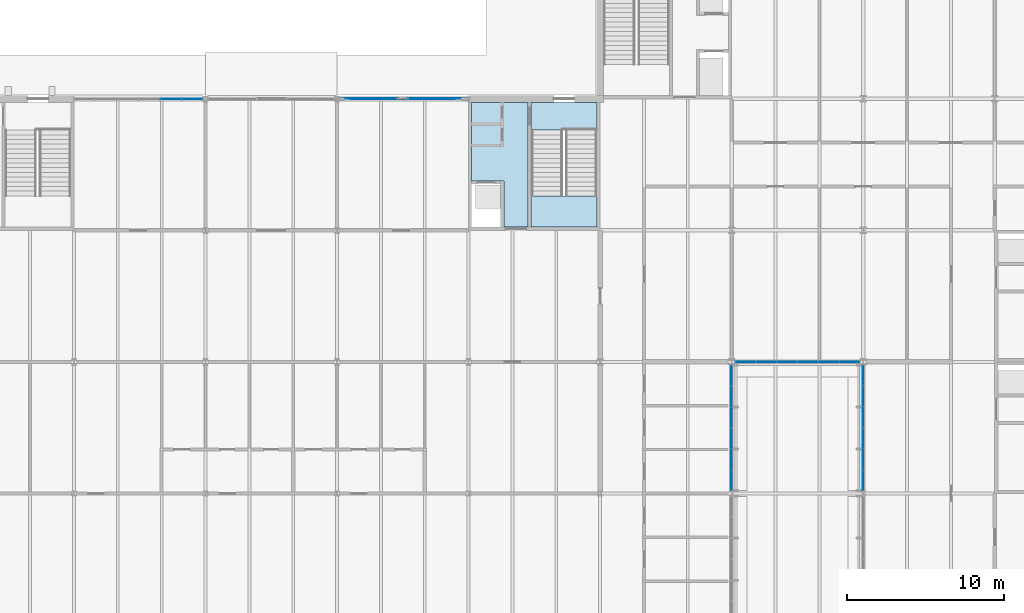
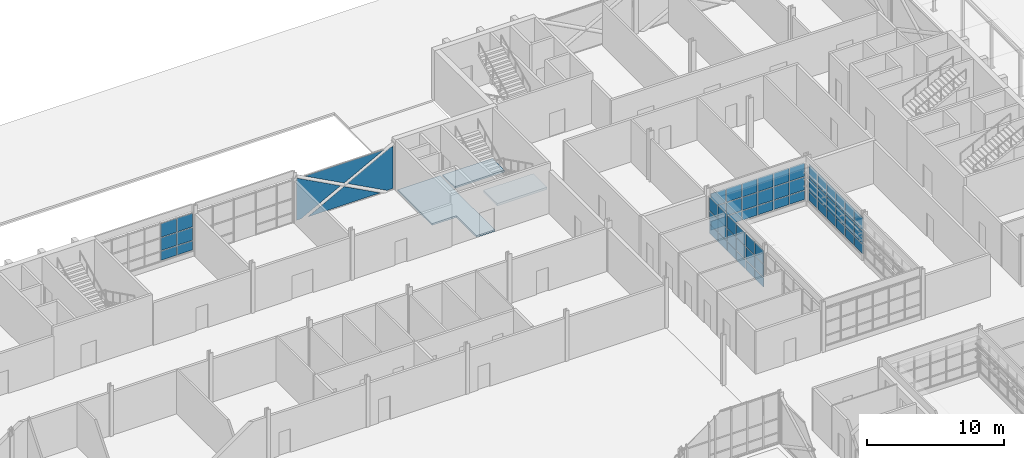
# One storey, part 79 of 116: 64 plates, 3 slabs, 6 elements without a shape of their own.
"""IFC4 building model written with IfcOpenShell, lengths in metres."""

from ifc_helpers import new_model, si_unit, direction, frame, origin, origin_2d, place, context, subcontext, project, spatial, polyline, rectangle, outline, extrude, material, layer, layer_set, type_object, element, aggregate, save


model = new_model("IFC4")

# Units and contexts
model_context = context("Model", 3, precision=1e-05, world=origin(), true_north=direction((0.0, 1.0)))
body_context = subcontext(model_context, "Body", "Model", "MODEL_VIEW")
ifc_project = project(units=[si_unit("LENGTHUNIT", "METRE"), si_unit("AREAUNIT", "SQUARE_METRE"), si_unit("VOLUMEUNIT", "CUBIC_METRE"), si_unit("PLANEANGLEUNIT", "RADIAN"), si_unit("MASSUNIT", "GRAM", prefix="KILO")], contexts=[model_context])

# Site, building, storey
site_placement = place(None, origin())
site = spatial("IfcSite", under=ifc_project, at=site_placement, CompositionType="ELEMENT")
building_placement = place(site_placement, origin())
building = spatial("IfcBuilding", under=site, at=building_placement, Name="Ardhachandra Cancer Care Centre", CompositionType="ELEMENT")
storey_placement = place(building_placement, origin())
storey = spatial("IfcBuildingStorey", under=building, at=storey_placement, Name="L00", CompositionType="ELEMENT", Elevation=0.0)

# Slabs
ifc_material_1 = material(Name="Concrete M40", Category="concrete")
ifc_layer_1 = layer(ifc_material_1, 0.14990234375)
ifc_layer_set_1 = layer_set([ifc_layer_1], Name="Concrete M40")
slab_type_1 = type_object("IfcSlabType", Name="Core floor slab 150", PredefinedType="FLOOR", material=ifc_layer_set_1)
slab_1_placement = place(storey_placement, frame((0.0, 0.0, -0.14990234375)))
element("IfcSlab", 1, at=slab_1_placement, inside=storey, type_object=slab_type_1, Name="Core floor slab K7 L00 1", PredefinedType="FLOOR", context=body_context, shape_type="SweptSolid", body=[
    extrude(outline(polyline([(111.39990234375, 94.60009765625), (107.199951171875, 94.60009765625), (107.199951171875, 96.375), (111.39990234375, 96.375), (111.39990234375, 94.60009765625)])), origin(), (0.0, 0.0, 1.0), 0.14990234375),
])
slab_2_placement = place(storey_placement, frame((0.0, 0.0, -0.14990234375)))
element("IfcSlab", 2, at=slab_2_placement, inside=storey, type_object=slab_type_1, Name="Core floor slab K7 L00 2", PredefinedType="FLOOR", context=body_context, shape_type="SweptSolid", body=[
    extrude(outline(polyline([(107.0, 96.375), (107.0, 88.39990234375), (105.449951171875, 88.39990234375), (105.449951171875, 91.35009765625), (105.25, 91.35009765625), (103.39990234375, 91.35009765625), (103.39990234375, 96.375), (107.0, 96.375)])), origin(), (0.0, 0.0, 1.0), 0.14990234375),
])

# Curtain wall, plates
ifc_material_2 = material(Name="Aluminium extrusion", Category="aluminium")
ifc_layer_2 = layer(ifc_material_2, 0.14990234375)
ifc_layer_set_2 = layer_set([ifc_layer_2], Name="Aluminium extrusion")
curtain_wall_type = type_object("IfcCurtainWallType", Name="Curtain wall run", PredefinedType="NOTDEFINED", material=ifc_layer_set_2)
curtain_wall_1_placement = place(storey_placement, origin())
curtain_wall_1 = element("IfcCurtainWall", 3, at=curtain_wall_1_placement, inside=storey, type_object=curtain_wall_type, Name="Curtain wall L00 e/0120000_0071400", PredefinedType="NOTDEFINED")
ifc_material_3 = material(Name="Low-iron double-glazed unit")
ifc_layer_3 = layer(ifc_material_3, 0.028076171875)
ifc_layer_set_3 = layer_set([ifc_layer_3], Name="Low-iron double-glazed unit")
plate_type_1 = type_object("IfcPlateType", Name="Curtain wall glazing 28", PredefinedType="CURTAIN_PANEL", material=ifc_layer_set_3)
plate_1_placement = place(storey_placement, frame((120.0, 72.236572265625, 1.3798828125), z_axis=(0.0, 0.0, 1.0), x_axis=(0.0, 1.0, 0.0)))
plate_1 = element("IfcPlate", 4, at=plate_1_placement, type_object=plate_type_1, Name="CW panel 1.2", PredefinedType="CURTAIN_PANEL", context=body_context, shape_type="SweptSolid", body=[
    extrude(rectangle(XDim=1.25341796875, YDim=0.028076171875, at=origin_2d()), origin(), (0.0, 0.0, 1.0), 1.139892578125),
])
plate_2_placement = place(storey_placement, frame((120.0, 72.236572265625, 2.580078125), z_axis=(0.0, 0.0, 1.0), x_axis=(0.0, 1.0, 0.0)))
plate_2 = element("IfcPlate", 5, at=plate_2_placement, type_object=plate_type_1, Name="CW panel 1.3", PredefinedType="CURTAIN_PANEL", context=body_context, shape_type="SweptSolid", body=[
    extrude(rectangle(XDim=1.25341796875, YDim=0.028076171875, at=origin_2d()), origin(), (0.0, 0.0, 1.0), 1.159912109375),
])
plate_3_placement = place(storey_placement, frame((120.0, 73.56494140625, 1.3798828125), z_axis=(0.0, 0.0, 1.0), x_axis=(0.0, 1.0, 0.0)))
plate_3 = element("IfcPlate", 6, at=plate_3_placement, type_object=plate_type_1, Name="CW panel 2.2", PredefinedType="CURTAIN_PANEL", context=body_context, shape_type="SweptSolid", body=[
    extrude(rectangle(XDim=1.283447265625, YDim=0.028076171875, at=origin_2d()), origin(), (0.0, 0.0, 1.0), 1.139892578125),
])
plate_4_placement = place(storey_placement, frame((120.0, 73.56494140625, 2.580078125), z_axis=(0.0, 0.0, 1.0), x_axis=(0.0, 1.0, 0.0)))
plate_4 = element("IfcPlate", 7, at=plate_4_placement, type_object=plate_type_1, Name="CW panel 2.3", PredefinedType="CURTAIN_PANEL", context=body_context, shape_type="SweptSolid", body=[
    extrude(rectangle(XDim=1.283447265625, YDim=0.028076171875, at=origin_2d()), origin(), (0.0, 0.0, 1.0), 1.159912109375),
])
plate_5_placement = place(storey_placement, frame((120.0, 74.908447265625, 1.3798828125), z_axis=(0.0, 0.0, 1.0), x_axis=(0.0, 1.0, 0.0)))
plate_5 = element("IfcPlate", 8, at=plate_5_placement, type_object=plate_type_1, Name="CW panel 3.2", PredefinedType="CURTAIN_PANEL", context=body_context, shape_type="SweptSolid", body=[
    extrude(rectangle(XDim=1.283447265625, YDim=0.028076171875, at=origin_2d()), origin(), (0.0, 0.0, 1.0), 1.139892578125),
])
plate_6_placement = place(storey_placement, frame((120.0, 74.908447265625, 2.580078125), z_axis=(0.0, 0.0, 1.0), x_axis=(0.0, 1.0, 0.0)))
plate_6 = element("IfcPlate", 9, at=plate_6_placement, type_object=plate_type_1, Name="CW panel 3.3", PredefinedType="CURTAIN_PANEL", context=body_context, shape_type="SweptSolid", body=[
    extrude(rectangle(XDim=1.283447265625, YDim=0.028076171875, at=origin_2d()), origin(), (0.0, 0.0, 1.0), 1.159912109375),
])
plate_7_placement = place(storey_placement, frame((120.0, 76.251708984375, 1.3798828125), z_axis=(0.0, 0.0, 1.0), x_axis=(0.0, 1.0, 0.0)))
plate_7 = element("IfcPlate", 10, at=plate_7_placement, type_object=plate_type_1, Name="CW panel 4.2", PredefinedType="CURTAIN_PANEL", context=body_context, shape_type="SweptSolid", body=[
    extrude(rectangle(XDim=1.283447265625, YDim=0.028076171875, at=origin_2d()), origin(), (0.0, 0.0, 1.0), 1.139892578125),
])
plate_8_placement = place(storey_placement, frame((120.0, 76.251708984375, 2.580078125), z_axis=(0.0, 0.0, 1.0), x_axis=(0.0, 1.0, 0.0)))
plate_8 = element("IfcPlate", 11, at=plate_8_placement, type_object=plate_type_1, Name="CW panel 4.3", PredefinedType="CURTAIN_PANEL", context=body_context, shape_type="SweptSolid", body=[
    extrude(rectangle(XDim=1.283447265625, YDim=0.028076171875, at=origin_2d()), origin(), (0.0, 0.0, 1.0), 1.159912109375),
])
plate_9_placement = place(storey_placement, frame((120.0, 77.594970703125, 1.3798828125), z_axis=(0.0, 0.0, 1.0), x_axis=(0.0, 1.0, 0.0)))
plate_9 = element("IfcPlate", 12, at=plate_9_placement, type_object=plate_type_1, Name="CW panel 5.2", PredefinedType="CURTAIN_PANEL", context=body_context, shape_type="SweptSolid", body=[
    extrude(rectangle(XDim=1.283447265625, YDim=0.028076171875, at=origin_2d()), origin(), (0.0, 0.0, 1.0), 1.139892578125),
])
plate_10_placement = place(storey_placement, frame((120.0, 77.594970703125, 2.580078125), z_axis=(0.0, 0.0, 1.0), x_axis=(0.0, 1.0, 0.0)))
plate_10 = element("IfcPlate", 13, at=plate_10_placement, type_object=plate_type_1, Name="CW panel 5.3", PredefinedType="CURTAIN_PANEL", context=body_context, shape_type="SweptSolid", body=[
    extrude(rectangle(XDim=1.283447265625, YDim=0.028076171875, at=origin_2d()), origin(), (0.0, 0.0, 1.0), 1.159912109375),
])
plate_11_placement = place(storey_placement, frame((120.0, 78.92333984375, 1.3798828125), z_axis=(0.0, 0.0, 1.0), x_axis=(0.0, 1.0, 0.0)))
plate_11 = element("IfcPlate", 14, at=plate_11_placement, type_object=plate_type_1, Name="CW panel 6.2", PredefinedType="CURTAIN_PANEL", context=body_context, shape_type="SweptSolid", body=[
    extrude(rectangle(XDim=1.25341796875, YDim=0.028076171875, at=origin_2d()), origin(), (0.0, 0.0, 1.0), 1.139892578125),
])
plate_12_placement = place(storey_placement, frame((120.0, 78.92333984375, 2.580078125), z_axis=(0.0, 0.0, 1.0), x_axis=(0.0, 1.0, 0.0)))
plate_12 = element("IfcPlate", 15, at=plate_12_placement, type_object=plate_type_1, Name="CW panel 6.3", PredefinedType="CURTAIN_PANEL", context=body_context, shape_type="SweptSolid", body=[
    extrude(rectangle(XDim=1.25341796875, YDim=0.028076171875, at=origin_2d()), origin(), (0.0, 0.0, 1.0), 1.159912109375),
])

curtain_wall_2_placement = place(storey_placement, origin())
curtain_wall_2 = element("IfcCurtainWall", 16, at=curtain_wall_2_placement, inside=storey, type_object=curtain_wall_type, Name="Curtain wall L00 n/0078000_0096600", PredefinedType="NOTDEFINED")
plate_13_placement = place(storey_placement, frame((84.1875, 96.60009765625, 1.3798828125), z_axis=(0.0, 0.0, 1.0), x_axis=(1.0, 0.0, 0.0)))
plate_13 = element("IfcPlate", 17, at=plate_13_placement, type_object=plate_type_1, Name="CW panel 5.2", PredefinedType="CURTAIN_PANEL", context=body_context, shape_type="SweptSolid", body=[
    extrude(rectangle(XDim=1.31494140625, YDim=0.028076171875, at=origin_2d()), origin(), (0.0, 0.0, 1.0), 1.139892578125),
])
plate_14_placement = place(storey_placement, frame((84.1875, 96.60009765625, 2.580078125), z_axis=(0.0, 0.0, 1.0), x_axis=(1.0, 0.0, 0.0)))
plate_14 = element("IfcPlate", 18, at=plate_14_placement, type_object=plate_type_1, Name="CW panel 5.3", PredefinedType="CURTAIN_PANEL", context=body_context, shape_type="SweptSolid", body=[
    extrude(rectangle(XDim=1.31494140625, YDim=0.028076171875, at=origin_2d()), origin(), (0.0, 0.0, 1.0), 1.2099609375),
])
plate_15_placement = place(storey_placement, frame((85.547607421875, 96.60009765625, 1.3798828125), z_axis=(0.0, 0.0, 1.0), x_axis=(1.0, 0.0, 0.0)))
plate_15 = element("IfcPlate", 19, at=plate_15_placement, type_object=plate_type_1, Name="CW panel 6.2", PredefinedType="CURTAIN_PANEL", context=body_context, shape_type="SweptSolid", body=[
    extrude(rectangle(XDim=1.284912109375, YDim=0.028076171875, at=origin_2d()), origin(), (0.0, 0.0, 1.0), 1.139892578125),
])
plate_16_placement = place(storey_placement, frame((85.547607421875, 96.60009765625, 2.580078125), z_axis=(0.0, 0.0, 1.0), x_axis=(1.0, 0.0, 0.0)))
plate_16 = element("IfcPlate", 20, at=plate_16_placement, type_object=plate_type_1, Name="CW panel 6.3", PredefinedType="CURTAIN_PANEL", context=body_context, shape_type="SweptSolid", body=[
    extrude(rectangle(XDim=1.284912109375, YDim=0.028076171875, at=origin_2d()), origin(), (0.0, 0.0, 1.0), 1.2099609375),
])

curtain_wall_3_placement = place(storey_placement, origin())
curtain_wall_3 = element("IfcCurtainWall", 21, at=curtain_wall_3_placement, inside=storey, type_object=curtain_wall_type, Name="Curtain wall L00 n/0094800_0096600", PredefinedType="NOTDEFINED")
plate_17_placement = place(storey_placement, frame((103.139892578125, 96.60009765625, 3.7900390625), z_axis=(0.0, 1.0, 0.0), x_axis=(0.0, 0.0, -1.0)))
plate_17 = element("IfcPlate", 22, at=plate_17_placement, type_object=plate_type_1, Name="CW panel 1.1", PredefinedType="CURTAIN_PANEL", context=body_context, shape_type="SweptSolid", body=[
    extrude(outline(polyline([(0.0, 0.0), (3.72998046875, 0.0), (3.72998046875, 0.50732421875), (1.93994140625, 3.8486328125), (0.0, 0.227294921875), (0.0, 0.0)])), origin(), (0.0, 0.0, 1.0), 0.028076171875),
])
plate_18_placement = place(storey_placement, frame((102.330078125, 96.60009765625, 3.7900390625), z_axis=(0.0, 1.0, 0.0), x_axis=(-0.881483812908, 0.0, -0.47221423907)))
plate_18 = element("IfcPlate", 23, at=plate_18_placement, type_object=plate_type_1, Name="CW panel 1.1", PredefinedType="CURTAIN_PANEL", context=body_context, shape_type="SweptSolid", body=[
    extrude(outline(polyline([(0.0, 0.0), (3.77783203125, 0.0), (5.870849609375, 3.14501953125), (0.0, 0.0)])), frame((0.0, 0.0, -0.028076171875)), (0.0, 0.0, 1.0), 0.028076171875),
])
plate_19_placement = place(storey_placement, frame((95.010009765625, 96.60009765625, 0.06005859375), z_axis=(0.0, 1.0, 0.0), x_axis=(0.0, 0.0, 1.0)))
plate_19 = element("IfcPlate", 24, at=plate_19_placement, type_object=plate_type_1, Name="CW panel 1.1", PredefinedType="CURTAIN_PANEL", context=body_context, shape_type="SweptSolid", body=[
    extrude(outline(polyline([(0.0, 0.0), (3.72998046875, 0.0), (3.72998046875, 0.077392578125), (1.7900390625, 3.69873046875), (0.0, 0.357421875), (0.0, 0.0)])), origin(), (0.0, 0.0, 1.0), 0.028076171875),
])
plate_20_placement = place(storey_placement, frame((95.949951171875, 96.60009765625, 0.06005859375), z_axis=(0.0, 1.0, 0.0), x_axis=(0.881470529599, 0.0, 0.472239034228)))
plate_20 = element("IfcPlate", 25, at=plate_20_placement, type_object=plate_type_1, Name="CW panel 1.1", PredefinedType="CURTAIN_PANEL", context=body_context, shape_type="SweptSolid", body=[
    extrude(outline(polyline([(0.0, 0.0), (3.460205078125, 0.0), (5.376953125, 2.880615234375), (0.0, 0.0)])), frame((0.0, 0.0, -0.028076171875)), (0.0, 0.0, 1.0), 0.028076171875),
])
aggregate(curtain_wall_3, [plate_17, plate_18, plate_19, plate_20])

curtain_wall_4_placement = place(storey_placement, origin())
curtain_wall_4 = element("IfcCurtainWall", 26, at=curtain_wall_4_placement, inside=storey, type_object=curtain_wall_type, Name="Curtain wall L00 s/0120000_0079800", PredefinedType="NOTDEFINED")
plate_21_placement = place(storey_placement, frame((120.879638671875, 79.800048828125, 1.3798828125), z_axis=(0.0, 0.0, 1.0), x_axis=(1.0, 0.0, 0.0)))
plate_21 = element("IfcPlate", 27, at=plate_21_placement, type_object=plate_type_1, Name="CW panel 1.2", PredefinedType="CURTAIN_PANEL", context=body_context, shape_type="SweptSolid", body=[
    extrude(rectangle(XDim=1.244140625, YDim=0.028076171875, at=origin_2d()), origin(), (0.0, 0.0, 1.0), 1.139892578125),
])
plate_22_placement = place(storey_placement, frame((120.879638671875, 79.800048828125, 2.580078125), z_axis=(0.0, 0.0, 1.0), x_axis=(1.0, 0.0, 0.0)))
plate_22 = element("IfcPlate", 28, at=plate_22_placement, type_object=plate_type_1, Name="CW panel 1.3", PredefinedType="CURTAIN_PANEL", context=body_context, shape_type="SweptSolid", body=[
    extrude(rectangle(XDim=1.244140625, YDim=0.028076171875, at=origin_2d()), origin(), (0.0, 0.0, 1.0), 1.2099609375),
])
plate_23_placement = place(storey_placement, frame((122.19873046875, 79.800048828125, 1.3798828125), z_axis=(0.0, 0.0, 1.0), x_axis=(1.0, 0.0, 0.0)))
plate_23 = element("IfcPlate", 29, at=plate_23_placement, type_object=plate_type_1, Name="CW panel 2.2", PredefinedType="CURTAIN_PANEL", context=body_context, shape_type="SweptSolid", body=[
    extrude(rectangle(XDim=1.274169921875, YDim=0.028076171875, at=origin_2d()), origin(), (0.0, 0.0, 1.0), 1.139892578125),
])
plate_24_placement = place(storey_placement, frame((122.19873046875, 79.800048828125, 2.580078125), z_axis=(0.0, 0.0, 1.0), x_axis=(1.0, 0.0, 0.0)))
plate_24 = element("IfcPlate", 30, at=plate_24_placement, type_object=plate_type_1, Name="CW panel 2.3", PredefinedType="CURTAIN_PANEL", context=body_context, shape_type="SweptSolid", body=[
    extrude(rectangle(XDim=1.274169921875, YDim=0.028076171875, at=origin_2d()), origin(), (0.0, 0.0, 1.0), 1.2099609375),
])
plate_25_placement = place(storey_placement, frame((123.532958984375, 79.800048828125, 1.3798828125), z_axis=(0.0, 0.0, 1.0), x_axis=(1.0, 0.0, 0.0)))
plate_25 = element("IfcPlate", 31, at=plate_25_placement, type_object=plate_type_1, Name="CW panel 3.2", PredefinedType="CURTAIN_PANEL", context=body_context, shape_type="SweptSolid", body=[
    extrude(rectangle(XDim=1.274169921875, YDim=0.028076171875, at=origin_2d()), origin(), (0.0, 0.0, 1.0), 1.139892578125),
])
plate_26_placement = place(storey_placement, frame((123.532958984375, 79.800048828125, 2.580078125), z_axis=(0.0, 0.0, 1.0), x_axis=(1.0, 0.0, 0.0)))
plate_26 = element("IfcPlate", 32, at=plate_26_placement, type_object=plate_type_1, Name="CW panel 3.3", PredefinedType="CURTAIN_PANEL", context=body_context, shape_type="SweptSolid", body=[
    extrude(rectangle(XDim=1.274169921875, YDim=0.028076171875, at=origin_2d()), origin(), (0.0, 0.0, 1.0), 1.2099609375),
])
plate_27_placement = place(storey_placement, frame((124.8671875, 79.800048828125, 1.3798828125), z_axis=(0.0, 0.0, 1.0), x_axis=(1.0, 0.0, 0.0)))
plate_27 = element("IfcPlate", 33, at=plate_27_placement, type_object=plate_type_1, Name="CW panel 4.2", PredefinedType="CURTAIN_PANEL", context=body_context, shape_type="SweptSolid", body=[
    extrude(rectangle(XDim=1.274169921875, YDim=0.028076171875, at=origin_2d()), origin(), (0.0, 0.0, 1.0), 1.139892578125),
])
plate_28_placement = place(storey_placement, frame((124.8671875, 79.800048828125, 2.580078125), z_axis=(0.0, 0.0, 1.0), x_axis=(1.0, 0.0, 0.0)))
plate_28 = element("IfcPlate", 34, at=plate_28_placement, type_object=plate_type_1, Name="CW panel 4.3", PredefinedType="CURTAIN_PANEL", context=body_context, shape_type="SweptSolid", body=[
    extrude(rectangle(XDim=1.274169921875, YDim=0.028076171875, at=origin_2d()), origin(), (0.0, 0.0, 1.0), 1.2099609375),
])
plate_29_placement = place(storey_placement, frame((126.201171875, 79.800048828125, 1.3798828125), z_axis=(0.0, 0.0, 1.0), x_axis=(1.0, 0.0, 0.0)))
plate_29 = element("IfcPlate", 35, at=plate_29_placement, type_object=plate_type_1, Name="CW panel 5.2", PredefinedType="CURTAIN_PANEL", context=body_context, shape_type="SweptSolid", body=[
    extrude(rectangle(XDim=1.274169921875, YDim=0.028076171875, at=origin_2d()), origin(), (0.0, 0.0, 1.0), 1.139892578125),
])
plate_30_placement = place(storey_placement, frame((126.201171875, 79.800048828125, 2.580078125), z_axis=(0.0, 0.0, 1.0), x_axis=(1.0, 0.0, 0.0)))
plate_30 = element("IfcPlate", 36, at=plate_30_placement, type_object=plate_type_1, Name="CW panel 5.3", PredefinedType="CURTAIN_PANEL", context=body_context, shape_type="SweptSolid", body=[
    extrude(rectangle(XDim=1.274169921875, YDim=0.028076171875, at=origin_2d()), origin(), (0.0, 0.0, 1.0), 1.2099609375),
])
plate_31_placement = place(storey_placement, frame((127.5205078125, 79.800048828125, 1.3798828125), z_axis=(0.0, 0.0, 1.0), x_axis=(1.0, 0.0, 0.0)))
plate_31 = element("IfcPlate", 37, at=plate_31_placement, type_object=plate_type_1, Name="CW panel 6.2", PredefinedType="CURTAIN_PANEL", context=body_context, shape_type="SweptSolid", body=[
    extrude(rectangle(XDim=1.244140625, YDim=0.028076171875, at=origin_2d()), origin(), (0.0, 0.0, 1.0), 1.139892578125),
])
plate_32_placement = place(storey_placement, frame((127.5205078125, 79.800048828125, 2.580078125), z_axis=(0.0, 0.0, 1.0), x_axis=(1.0, 0.0, 0.0)))
plate_32 = element("IfcPlate", 38, at=plate_32_placement, type_object=plate_type_1, Name="CW panel 6.3", PredefinedType="CURTAIN_PANEL", context=body_context, shape_type="SweptSolid", body=[
    extrude(rectangle(XDim=1.244140625, YDim=0.028076171875, at=origin_2d()), origin(), (0.0, 0.0, 1.0), 1.2099609375),
])

curtain_wall_5_placement = place(storey_placement, origin())
curtain_wall_5 = element("IfcCurtainWall", 39, at=curtain_wall_5_placement, inside=storey, type_object=curtain_wall_type, Name="Curtain wall L00 w/0128400_0071400", PredefinedType="NOTDEFINED")
plate_33_placement = place(storey_placement, frame((128.39990234375, 72.236572265625, 1.3798828125), z_axis=(0.0, 0.0, 1.0), x_axis=(0.0, 1.0, 0.0)))
plate_33 = element("IfcPlate", 40, at=plate_33_placement, type_object=plate_type_1, Name="CW panel 1.2", PredefinedType="CURTAIN_PANEL", context=body_context, shape_type="SweptSolid", body=[
    extrude(rectangle(XDim=1.25341796875, YDim=0.028076171875, at=origin_2d()), origin(), (0.0, 0.0, 1.0), 1.139892578125),
])
plate_34_placement = place(storey_placement, frame((128.39990234375, 72.236572265625, 2.580078125), z_axis=(0.0, 0.0, 1.0), x_axis=(0.0, 1.0, 0.0)))
plate_34 = element("IfcPlate", 41, at=plate_34_placement, type_object=plate_type_1, Name="CW panel 1.3", PredefinedType="CURTAIN_PANEL", context=body_context, shape_type="SweptSolid", body=[
    extrude(rectangle(XDim=1.25341796875, YDim=0.028076171875, at=origin_2d()), origin(), (0.0, 0.0, 1.0), 1.159912109375),
])
plate_35_placement = place(storey_placement, frame((128.39990234375, 73.56494140625, 1.3798828125), z_axis=(0.0, 0.0, 1.0), x_axis=(0.0, 1.0, 0.0)))
plate_35 = element("IfcPlate", 42, at=plate_35_placement, type_object=plate_type_1, Name="CW panel 2.2", PredefinedType="CURTAIN_PANEL", context=body_context, shape_type="SweptSolid", body=[
    extrude(rectangle(XDim=1.283447265625, YDim=0.028076171875, at=origin_2d()), origin(), (0.0, 0.0, 1.0), 1.139892578125),
])
plate_36_placement = place(storey_placement, frame((128.39990234375, 73.56494140625, 2.580078125), z_axis=(0.0, 0.0, 1.0), x_axis=(0.0, 1.0, 0.0)))
plate_36 = element("IfcPlate", 43, at=plate_36_placement, type_object=plate_type_1, Name="CW panel 2.3", PredefinedType="CURTAIN_PANEL", context=body_context, shape_type="SweptSolid", body=[
    extrude(rectangle(XDim=1.283447265625, YDim=0.028076171875, at=origin_2d()), origin(), (0.0, 0.0, 1.0), 1.159912109375),
])
plate_37_placement = place(storey_placement, frame((128.39990234375, 74.908447265625, 1.3798828125), z_axis=(0.0, 0.0, 1.0), x_axis=(0.0, 1.0, 0.0)))
plate_37 = element("IfcPlate", 44, at=plate_37_placement, type_object=plate_type_1, Name="CW panel 3.2", PredefinedType="CURTAIN_PANEL", context=body_context, shape_type="SweptSolid", body=[
    extrude(rectangle(XDim=1.283447265625, YDim=0.028076171875, at=origin_2d()), origin(), (0.0, 0.0, 1.0), 1.139892578125),
])
plate_38_placement = place(storey_placement, frame((128.39990234375, 74.908447265625, 2.580078125), z_axis=(0.0, 0.0, 1.0), x_axis=(0.0, 1.0, 0.0)))
plate_38 = element("IfcPlate", 45, at=plate_38_placement, type_object=plate_type_1, Name="CW panel 3.3", PredefinedType="CURTAIN_PANEL", context=body_context, shape_type="SweptSolid", body=[
    extrude(rectangle(XDim=1.283447265625, YDim=0.028076171875, at=origin_2d()), origin(), (0.0, 0.0, 1.0), 1.159912109375),
])
plate_39_placement = place(storey_placement, frame((128.39990234375, 76.251708984375, 1.3798828125), z_axis=(0.0, 0.0, 1.0), x_axis=(0.0, 1.0, 0.0)))
plate_39 = element("IfcPlate", 46, at=plate_39_placement, type_object=plate_type_1, Name="CW panel 4.2", PredefinedType="CURTAIN_PANEL", context=body_context, shape_type="SweptSolid", body=[
    extrude(rectangle(XDim=1.283447265625, YDim=0.028076171875, at=origin_2d()), origin(), (0.0, 0.0, 1.0), 1.139892578125),
])
plate_40_placement = place(storey_placement, frame((128.39990234375, 76.251708984375, 2.580078125), z_axis=(0.0, 0.0, 1.0), x_axis=(0.0, 1.0, 0.0)))
plate_40 = element("IfcPlate", 47, at=plate_40_placement, type_object=plate_type_1, Name="CW panel 4.3", PredefinedType="CURTAIN_PANEL", context=body_context, shape_type="SweptSolid", body=[
    extrude(rectangle(XDim=1.283447265625, YDim=0.028076171875, at=origin_2d()), origin(), (0.0, 0.0, 1.0), 1.159912109375),
])
plate_41_placement = place(storey_placement, frame((128.39990234375, 77.594970703125, 1.3798828125), z_axis=(0.0, 0.0, 1.0), x_axis=(0.0, 1.0, 0.0)))
plate_41 = element("IfcPlate", 48, at=plate_41_placement, type_object=plate_type_1, Name="CW panel 5.2", PredefinedType="CURTAIN_PANEL", context=body_context, shape_type="SweptSolid", body=[
    extrude(rectangle(XDim=1.283447265625, YDim=0.028076171875, at=origin_2d()), origin(), (0.0, 0.0, 1.0), 1.139892578125),
])
plate_42_placement = place(storey_placement, frame((128.39990234375, 77.594970703125, 2.580078125), z_axis=(0.0, 0.0, 1.0), x_axis=(0.0, 1.0, 0.0)))
plate_42 = element("IfcPlate", 49, at=plate_42_placement, type_object=plate_type_1, Name="CW panel 5.3", PredefinedType="CURTAIN_PANEL", context=body_context, shape_type="SweptSolid", body=[
    extrude(rectangle(XDim=1.283447265625, YDim=0.028076171875, at=origin_2d()), origin(), (0.0, 0.0, 1.0), 1.159912109375),
])
plate_43_placement = place(storey_placement, frame((128.39990234375, 78.92333984375, 1.3798828125), z_axis=(0.0, 0.0, 1.0), x_axis=(0.0, 1.0, 0.0)))
plate_43 = element("IfcPlate", 50, at=plate_43_placement, type_object=plate_type_1, Name="CW panel 6.2", PredefinedType="CURTAIN_PANEL", context=body_context, shape_type="SweptSolid", body=[
    extrude(rectangle(XDim=1.25341796875, YDim=0.028076171875, at=origin_2d()), origin(), (0.0, 0.0, 1.0), 1.139892578125),
])
plate_44_placement = place(storey_placement, frame((128.39990234375, 78.92333984375, 2.580078125), z_axis=(0.0, 0.0, 1.0), x_axis=(0.0, 1.0, 0.0)))
plate_44 = element("IfcPlate", 51, at=plate_44_placement, type_object=plate_type_1, Name="CW panel 6.3", PredefinedType="CURTAIN_PANEL", context=body_context, shape_type="SweptSolid", body=[
    extrude(rectangle(XDim=1.25341796875, YDim=0.028076171875, at=origin_2d()), origin(), (0.0, 0.0, 1.0), 1.159912109375),
])

# Plate
ifc_material_4 = material(Name="Aluminium composite spandrel panel", Category="aluminium")
ifc_layer_4 = layer(ifc_material_4, 0.028076171875)
ifc_layer_set_4 = layer_set([ifc_layer_4], Name="Aluminium composite spandrel panel")
plate_type_2 = type_object("IfcPlateType", Name="Curtain wall spandrel panel 28", PredefinedType="CURTAIN_PANEL", material=ifc_layer_set_4)
plate_45_placement = place(storey_placement, frame((120.0, 72.236572265625, 0.510009765625), z_axis=(0.0, 0.0, 1.0), x_axis=(0.0, 1.0, 0.0)))
plate_45 = element("IfcPlate", 52, at=plate_45_placement, type_object=plate_type_2, Name="CW panel 1.1", PredefinedType="CURTAIN_PANEL", context=body_context, shape_type="SweptSolid", body=[
    extrude(rectangle(XDim=1.25341796875, YDim=0.028076171875, at=origin_2d()), origin(), (0.0, 0.0, 1.0), 0.81005859375),
])

plate_46_placement = place(storey_placement, frame((120.0, 73.56494140625, 0.510009765625), z_axis=(0.0, 0.0, 1.0), x_axis=(0.0, 1.0, 0.0)))
plate_46 = element("IfcPlate", 53, at=plate_46_placement, type_object=plate_type_2, Name="CW panel 2.1", PredefinedType="CURTAIN_PANEL", context=body_context, shape_type="SweptSolid", body=[
    extrude(rectangle(XDim=1.283447265625, YDim=0.028076171875, at=origin_2d()), origin(), (0.0, 0.0, 1.0), 0.81005859375),
])

plate_47_placement = place(storey_placement, frame((120.0, 74.908447265625, 0.510009765625), z_axis=(0.0, 0.0, 1.0), x_axis=(0.0, 1.0, 0.0)))
plate_47 = element("IfcPlate", 54, at=plate_47_placement, type_object=plate_type_2, Name="CW panel 3.1", PredefinedType="CURTAIN_PANEL", context=body_context, shape_type="SweptSolid", body=[
    extrude(rectangle(XDim=1.283447265625, YDim=0.028076171875, at=origin_2d()), origin(), (0.0, 0.0, 1.0), 0.81005859375),
])

plate_48_placement = place(storey_placement, frame((120.0, 76.251708984375, 0.510009765625), z_axis=(0.0, 0.0, 1.0), x_axis=(0.0, 1.0, 0.0)))
plate_48 = element("IfcPlate", 55, at=plate_48_placement, type_object=plate_type_2, Name="CW panel 4.1", PredefinedType="CURTAIN_PANEL", context=body_context, shape_type="SweptSolid", body=[
    extrude(rectangle(XDim=1.283447265625, YDim=0.028076171875, at=origin_2d()), origin(), (0.0, 0.0, 1.0), 0.81005859375),
])

plate_49_placement = place(storey_placement, frame((120.0, 77.594970703125, 0.510009765625), z_axis=(0.0, 0.0, 1.0), x_axis=(0.0, 1.0, 0.0)))
plate_49 = element("IfcPlate", 56, at=plate_49_placement, type_object=plate_type_2, Name="CW panel 5.1", PredefinedType="CURTAIN_PANEL", context=body_context, shape_type="SweptSolid", body=[
    extrude(rectangle(XDim=1.283447265625, YDim=0.028076171875, at=origin_2d()), origin(), (0.0, 0.0, 1.0), 0.81005859375),
])

plate_50_placement = place(storey_placement, frame((120.0, 78.92333984375, 0.510009765625), z_axis=(0.0, 0.0, 1.0), x_axis=(0.0, 1.0, 0.0)))
plate_50 = element("IfcPlate", 57, at=plate_50_placement, type_object=plate_type_2, Name="CW panel 6.1", PredefinedType="CURTAIN_PANEL", context=body_context, shape_type="SweptSolid", body=[
    extrude(rectangle(XDim=1.25341796875, YDim=0.028076171875, at=origin_2d()), origin(), (0.0, 0.0, 1.0), 0.81005859375),
])

aggregate(curtain_wall_1, [plate_45, plate_1, plate_2, plate_46, plate_3, plate_4, plate_47, plate_5, plate_6, plate_48, plate_7, plate_8, plate_49, plate_9, plate_10, plate_50, plate_11, plate_12])

plate_51_placement = place(storey_placement, frame((84.1875, 96.60009765625, 0.510009765625), z_axis=(0.0, 0.0, 1.0), x_axis=(1.0, 0.0, 0.0)))
plate_51 = element("IfcPlate", 58, at=plate_51_placement, type_object=plate_type_2, Name="CW panel 5.1", PredefinedType="CURTAIN_PANEL", context=body_context, shape_type="SweptSolid", body=[
    extrude(rectangle(XDim=1.31494140625, YDim=0.028076171875, at=origin_2d()), origin(), (0.0, 0.0, 1.0), 0.81005859375),
])

plate_52_placement = place(storey_placement, frame((85.547607421875, 96.60009765625, 0.510009765625), z_axis=(0.0, 0.0, 1.0), x_axis=(1.0, 0.0, 0.0)))
plate_52 = element("IfcPlate", 59, at=plate_52_placement, type_object=plate_type_2, Name="CW panel 6.1", PredefinedType="CURTAIN_PANEL", context=body_context, shape_type="SweptSolid", body=[
    extrude(rectangle(XDim=1.284912109375, YDim=0.028076171875, at=origin_2d()), origin(), (0.0, 0.0, 1.0), 0.81005859375),
])

aggregate(curtain_wall_2, [plate_51, plate_13, plate_14, plate_52, plate_15, plate_16])

plate_53_placement = place(storey_placement, frame((120.879638671875, 79.800048828125, 0.510009765625), z_axis=(0.0, 0.0, 1.0), x_axis=(1.0, 0.0, 0.0)))
plate_53 = element("IfcPlate", 60, at=plate_53_placement, type_object=plate_type_2, Name="CW panel 1.1", PredefinedType="CURTAIN_PANEL", context=body_context, shape_type="SweptSolid", body=[
    extrude(rectangle(XDim=1.244140625, YDim=0.028076171875, at=origin_2d()), origin(), (0.0, 0.0, 1.0), 0.81005859375),
])

plate_54_placement = place(storey_placement, frame((122.19873046875, 79.800048828125, 0.510009765625), z_axis=(0.0, 0.0, 1.0), x_axis=(1.0, 0.0, 0.0)))
plate_54 = element("IfcPlate", 61, at=plate_54_placement, type_object=plate_type_2, Name="CW panel 2.1", PredefinedType="CURTAIN_PANEL", context=body_context, shape_type="SweptSolid", body=[
    extrude(rectangle(XDim=1.274169921875, YDim=0.028076171875, at=origin_2d()), origin(), (0.0, 0.0, 1.0), 0.81005859375),
])

plate_55_placement = place(storey_placement, frame((123.532958984375, 79.800048828125, 0.510009765625), z_axis=(0.0, 0.0, 1.0), x_axis=(1.0, 0.0, 0.0)))
plate_55 = element("IfcPlate", 62, at=plate_55_placement, type_object=plate_type_2, Name="CW panel 3.1", PredefinedType="CURTAIN_PANEL", context=body_context, shape_type="SweptSolid", body=[
    extrude(rectangle(XDim=1.274169921875, YDim=0.028076171875, at=origin_2d()), origin(), (0.0, 0.0, 1.0), 0.81005859375),
])

plate_56_placement = place(storey_placement, frame((124.8671875, 79.800048828125, 0.510009765625), z_axis=(0.0, 0.0, 1.0), x_axis=(1.0, 0.0, 0.0)))
plate_56 = element("IfcPlate", 63, at=plate_56_placement, type_object=plate_type_2, Name="CW panel 4.1", PredefinedType="CURTAIN_PANEL", context=body_context, shape_type="SweptSolid", body=[
    extrude(rectangle(XDim=1.274169921875, YDim=0.028076171875, at=origin_2d()), origin(), (0.0, 0.0, 1.0), 0.81005859375),
])

plate_57_placement = place(storey_placement, frame((126.201171875, 79.800048828125, 0.510009765625), z_axis=(0.0, 0.0, 1.0), x_axis=(1.0, 0.0, 0.0)))
plate_57 = element("IfcPlate", 64, at=plate_57_placement, type_object=plate_type_2, Name="CW panel 5.1", PredefinedType="CURTAIN_PANEL", context=body_context, shape_type="SweptSolid", body=[
    extrude(rectangle(XDim=1.274169921875, YDim=0.028076171875, at=origin_2d()), origin(), (0.0, 0.0, 1.0), 0.81005859375),
])

plate_58_placement = place(storey_placement, frame((127.5205078125, 79.800048828125, 0.510009765625), z_axis=(0.0, 0.0, 1.0), x_axis=(1.0, 0.0, 0.0)))
plate_58 = element("IfcPlate", 65, at=plate_58_placement, type_object=plate_type_2, Name="CW panel 6.1", PredefinedType="CURTAIN_PANEL", context=body_context, shape_type="SweptSolid", body=[
    extrude(rectangle(XDim=1.244140625, YDim=0.028076171875, at=origin_2d()), origin(), (0.0, 0.0, 1.0), 0.81005859375),
])

aggregate(curtain_wall_4, [plate_53, plate_21, plate_22, plate_54, plate_23, plate_24, plate_55, plate_25, plate_26, plate_56, plate_27, plate_28, plate_57, plate_29, plate_30, plate_58, plate_31, plate_32])

plate_59_placement = place(storey_placement, frame((128.39990234375, 72.236572265625, 0.510009765625), z_axis=(0.0, 0.0, 1.0), x_axis=(0.0, 1.0, 0.0)))
plate_59 = element("IfcPlate", 66, at=plate_59_placement, type_object=plate_type_2, Name="CW panel 1.1", PredefinedType="CURTAIN_PANEL", context=body_context, shape_type="SweptSolid", body=[
    extrude(rectangle(XDim=1.25341796875, YDim=0.028076171875, at=origin_2d()), origin(), (0.0, 0.0, 1.0), 0.81005859375),
])

plate_60_placement = place(storey_placement, frame((128.39990234375, 73.56494140625, 0.510009765625), z_axis=(0.0, 0.0, 1.0), x_axis=(0.0, 1.0, 0.0)))
plate_60 = element("IfcPlate", 67, at=plate_60_placement, type_object=plate_type_2, Name="CW panel 2.1", PredefinedType="CURTAIN_PANEL", context=body_context, shape_type="SweptSolid", body=[
    extrude(rectangle(XDim=1.283447265625, YDim=0.028076171875, at=origin_2d()), origin(), (0.0, 0.0, 1.0), 0.81005859375),
])

plate_61_placement = place(storey_placement, frame((128.39990234375, 74.908447265625, 0.510009765625), z_axis=(0.0, 0.0, 1.0), x_axis=(0.0, 1.0, 0.0)))
plate_61 = element("IfcPlate", 68, at=plate_61_placement, type_object=plate_type_2, Name="CW panel 3.1", PredefinedType="CURTAIN_PANEL", context=body_context, shape_type="SweptSolid", body=[
    extrude(rectangle(XDim=1.283447265625, YDim=0.028076171875, at=origin_2d()), origin(), (0.0, 0.0, 1.0), 0.81005859375),
])

plate_62_placement = place(storey_placement, frame((128.39990234375, 76.251708984375, 0.510009765625), z_axis=(0.0, 0.0, 1.0), x_axis=(0.0, 1.0, 0.0)))
plate_62 = element("IfcPlate", 69, at=plate_62_placement, type_object=plate_type_2, Name="CW panel 4.1", PredefinedType="CURTAIN_PANEL", context=body_context, shape_type="SweptSolid", body=[
    extrude(rectangle(XDim=1.283447265625, YDim=0.028076171875, at=origin_2d()), origin(), (0.0, 0.0, 1.0), 0.81005859375),
])

plate_63_placement = place(storey_placement, frame((128.39990234375, 77.594970703125, 0.510009765625), z_axis=(0.0, 0.0, 1.0), x_axis=(0.0, 1.0, 0.0)))
plate_63 = element("IfcPlate", 70, at=plate_63_placement, type_object=plate_type_2, Name="CW panel 5.1", PredefinedType="CURTAIN_PANEL", context=body_context, shape_type="SweptSolid", body=[
    extrude(rectangle(XDim=1.283447265625, YDim=0.028076171875, at=origin_2d()), origin(), (0.0, 0.0, 1.0), 0.81005859375),
])

plate_64_placement = place(storey_placement, frame((128.39990234375, 78.92333984375, 0.510009765625), z_axis=(0.0, 0.0, 1.0), x_axis=(0.0, 1.0, 0.0)))
plate_64 = element("IfcPlate", 71, at=plate_64_placement, type_object=plate_type_2, Name="CW panel 6.1", PredefinedType="CURTAIN_PANEL", context=body_context, shape_type="SweptSolid", body=[
    extrude(rectangle(XDim=1.25341796875, YDim=0.028076171875, at=origin_2d()), origin(), (0.0, 0.0, 1.0), 0.81005859375),
])

aggregate(curtain_wall_5, [plate_59, plate_33, plate_34, plate_60, plate_35, plate_36, plate_61, plate_37, plate_38, plate_62, plate_39, plate_40, plate_63, plate_41, plate_42, plate_64, plate_43, plate_44])

# Stair, slab
ifc_material_5 = material(Name="Concrete M40", Category="concrete")
stair_type = type_object("IfcStairType", Name="Dog-leg stair 2000", PredefinedType="HALF_TURN_STAIR", material=ifc_material_5)
stair_placement = place(storey_placement, origin())
stair = element("IfcStair", 72, at=stair_placement, inside=storey, type_object=stair_type, Name="Stair K7 L00-L01", PredefinedType="HALF_TURN_STAIR")
ifc_material_6 = material(Name="Concrete M40", Category="concrete")
ifc_layer_5 = layer(ifc_material_6, 0.199951171875)
ifc_layer_set_5 = layer_set([ifc_layer_5], Name="Concrete M40")
slab_type_2 = type_object("IfcSlabType", Name="Stair landing 200", PredefinedType="LANDING", material=ifc_layer_set_5)
slab_3_placement = place(storey_placement, frame((0.0, 0.0, 2.050048828125)))
slab_3 = element("IfcSlab", 73, at=slab_3_placement, type_object=slab_type_2, Name="stair K7 L00-L01 landing 1", PredefinedType="LANDING", context=body_context, shape_type="SweptSolid", body=[
    extrude(outline(polyline([(107.199951171875, 88.39990234375), (111.39990234375, 88.39990234375), (111.39990234375, 90.39990234375), (107.199951171875, 90.39990234375), (107.199951171875, 88.39990234375)])), origin(), (0.0, 0.0, 1.0), 0.199951171875),
])
aggregate(stair, [slab_3])

save(model, "model.ifc")
